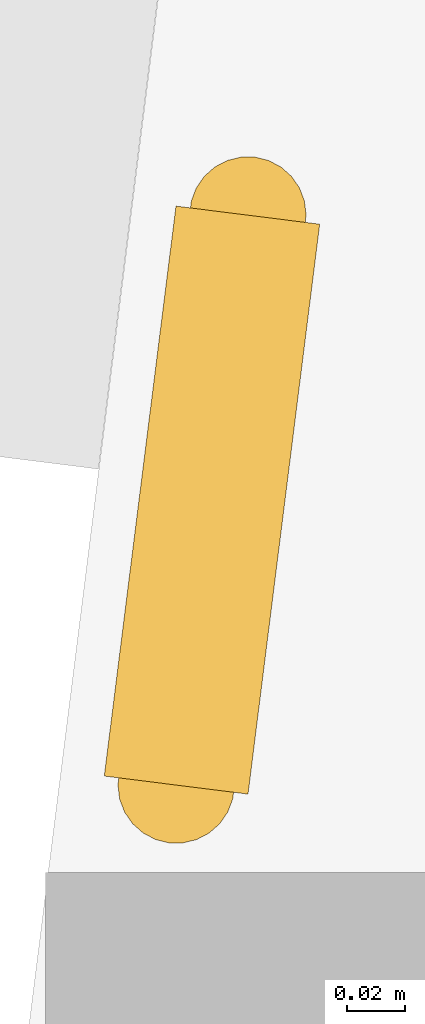
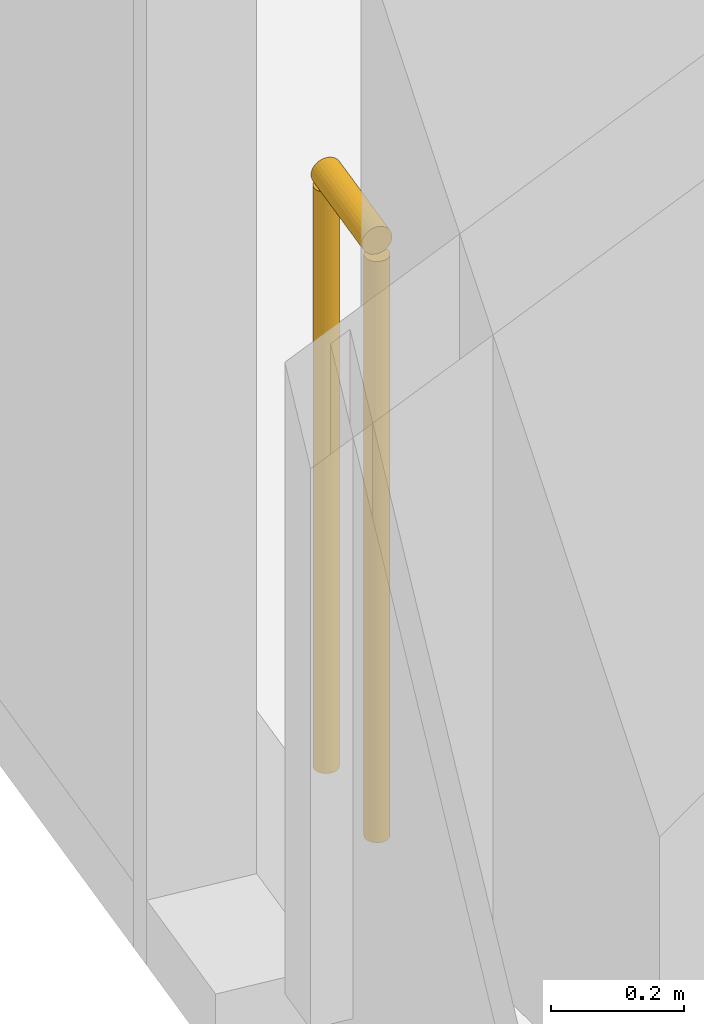
# One storey, part 24 of 27: 1 railing.
"""IFC4 building model written with IfcOpenShell, lengths in metres."""

from ifc_helpers import new_model, si_unit, direction, frame, origin, origin_2d, place, context, subcontext, project, spatial, circle, extrude, material, type_object, element, save


model = new_model("IFC4")

# Units and contexts
model_context = context("Model", 3, precision=1e-05, world=origin(), true_north=direction((0.0, 1.0)))
body_context = subcontext(model_context, "Body", "Model", "MODEL_VIEW")
ifc_project = project(units=[si_unit("LENGTHUNIT", "METRE"), si_unit("AREAUNIT", "SQUARE_METRE"), si_unit("VOLUMEUNIT", "CUBIC_METRE"), si_unit("PLANEANGLEUNIT", "RADIAN"), si_unit("MASSUNIT", "GRAM", prefix="KILO")], contexts=[model_context])

# Site, building, storey
site_placement = place(None, origin())
site = spatial("IfcSite", under=ifc_project, at=site_placement, CompositionType="ELEMENT")
building_placement = place(site_placement, origin())
building = spatial("IfcBuilding", under=site, at=building_placement, Name="Orlundy Tower", CompositionType="ELEMENT")
storey_placement = place(building_placement, frame((0.0, 0.0, 202.60009765625)))
storey = spatial("IfcBuildingStorey", under=building, at=storey_placement, Name="L53", CompositionType="ELEMENT", Elevation=202.60009765625)

# Railing
ifc_material = material(Name="Stainless steel bronze finish", Category="steel")
railing_type = type_object("IfcRailingType", Name="TG1 terrace guard", PredefinedType="GUARDRAIL", material=ifc_material)
railing_placement = place(storey_placement, frame((-24.947021484375, -38.407958984375, 0.0)))
element("IfcRailing", 1, at=railing_placement, inside=storey, type_object=railing_type, Name="Guard TG-L53-E01", PredefinedType="GUARDRAIL", context=body_context, shape_type="SweptSolid", body=[
    extrude(circle(Radius=0.02490234375, at=origin_2d()), frame((0.0, 0.0, 1.09521484375), z_axis=(0.124795064139, 0.99218253964, 0.0), x_axis=(-0.99218253964, 0.124795064139, 0.0)), (0.0, 0.0, 1.0), 0.197509765625),
    extrude(circle(Radius=0.02001953125, at=origin_2d()), origin(), (0.0, 0.0, 1.0), 1.070068359375),
    extrude(circle(Radius=0.02001953125, at=origin_2d()), frame((0.024658203125, 0.196044921875, 0.0)), (0.0, 0.0, 1.0), 1.070068359375),
])

save(model, "model.ifc")
